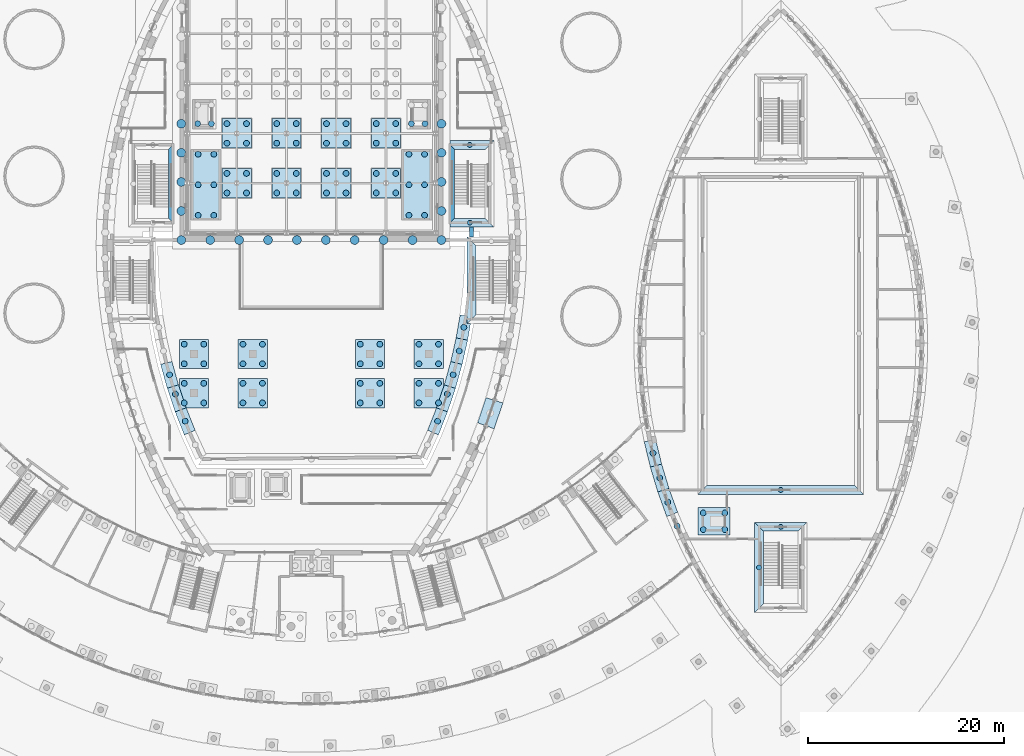
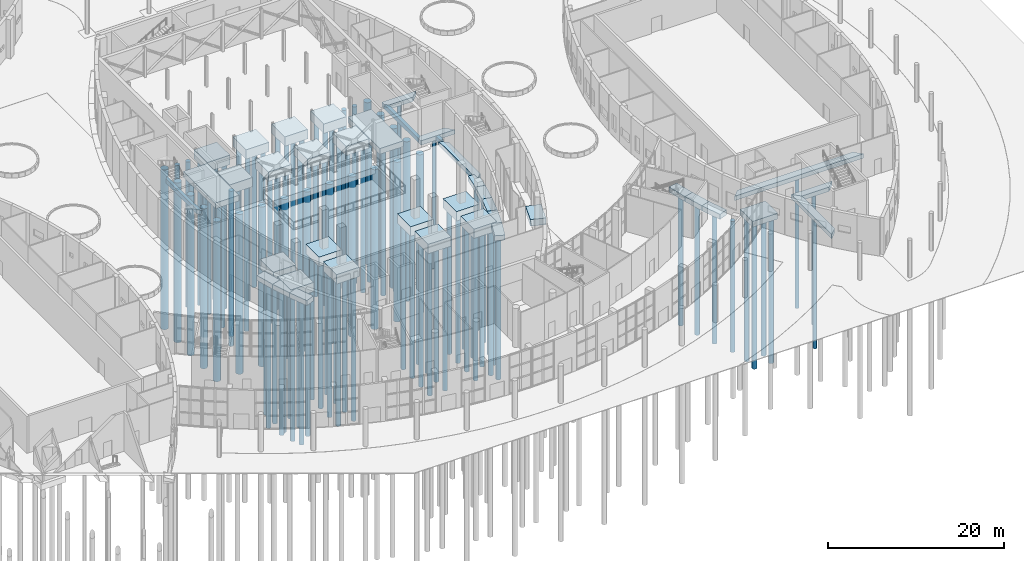
# One storey, part 4 of 82: 119 piles, 40 footings.
"""IFC4 building model written with IfcOpenShell, lengths in metres."""

from ifc_helpers import new_model, si_unit, direction, frame, origin, origin_2d, place, context, subcontext, project, spatial, polyline, rectangle, circle, outline, extrude, material, material_profile, profile_set, type_object, element, save


model = new_model("IFC4")

# Units and contexts
model_context = context("Model", 3, precision=1e-05, world=origin(), true_north=direction((0.0, 1.0)))
body_context = subcontext(model_context, "Body", "Model", "MODEL_VIEW")
ifc_project = project(units=[si_unit("LENGTHUNIT", "METRE"), si_unit("AREAUNIT", "SQUARE_METRE"), si_unit("VOLUMEUNIT", "CUBIC_METRE"), si_unit("PLANEANGLEUNIT", "RADIAN"), si_unit("MASSUNIT", "GRAM", prefix="KILO")], contexts=[model_context])

# Site, building, storey
site_placement = place(None, origin())
site = spatial("IfcSite", under=ifc_project, at=site_placement, CompositionType="ELEMENT")
building_placement = place(site_placement, origin())
building = spatial("IfcBuilding", under=site, at=building_placement, Name="Tide Square Theatres", CompositionType="ELEMENT")
storey_placement = place(building_placement, origin())
storey = spatial("IfcBuildingStorey", under=building, at=storey_placement, Name="L00", CompositionType="ELEMENT", Elevation=0.0)

# Piles
ifc_material_1 = material(Name="Concrete C30", Category="concrete")
ifc_material_profile_1 = material_profile(ifc_material_1, circle(Radius=0.25, at=origin_2d()))
ifc_profile_set_1 = profile_set([ifc_material_profile_1], Name="Concrete C30")
pile_type_1 = type_object("IfcPileType", Name="Bored pile D500", PredefinedType="BORED", material=ifc_profile_set_1)
for number, where, z_axis, x_axis, name in (
    (1, (100.199951171875, 57.324951171875, -0.699951171875), (0.0, 0.0, -1.0), (1.0, 0.0, 0.0), "Bored pile 004"),
    (2, (100.199951171875, 65.27490234375, -0.699951171875), (0.0, 0.0, -1.0), (1.0, 0.0, 0.0), "Bored pile 005"),
    (3, (132.0, 30.0, -0.699951171875), (0.0, 0.0, -1.0), (1.0, 0.0, 0.0), "Bored pile 059"),
    (4, (129.77490234375, 22.074951171875, -0.699951171875), (0.0, 0.0, -1.0), (1.0, 0.0, 0.0), "Bored pile 065"),
    (5, (132.0, 26.22509765625, -0.699951171875), (0.0, 0.0, -1.0), (1.0, 0.0, 0.0), "Bored pile 068"),
):
    element("IfcPile", number, at=place(storey_placement, frame(where, z_axis=z_axis, x_axis=x_axis)), inside=storey, type_object=pile_type_1, Name=name, PredefinedType="BORED", context=body_context, shape_type="SweptSolid", body=[
        extrude(circle(Radius=0.25, at=origin_2d()), origin(), (0.0, 0.0, 1.0), 18.14990234375),
    ])
ifc_material_2 = material(Name="Concrete C30", Category="concrete")
ifc_material_profile_2 = material_profile(ifc_material_2, circle(Radius=0.300048828125, at=origin_2d()))
ifc_profile_set_2 = profile_set([ifc_material_profile_2], Name="Concrete C30")
pile_type_2 = type_object("IfcPileType", Name="Bored pile D600", PredefinedType="BORED", material=ifc_profile_set_2)
for number, where, z_axis, x_axis, name in (
    (6, (75.365478515625, 60.365478515625, -1.14990234375), (0.0, 0.0, -1.0), (1.0, 0.0, 0.0), "Bored pile"),
    (7, (77.365478515625, 60.365478515625, -1.14990234375), (0.0, 0.0, -1.0), (1.0, 0.0, 0.0), "Bored pile"),
    (8, (77.365478515625, 62.365478515625, -1.14990234375), (0.0, 0.0, -1.0), (1.0, 0.0, 0.0), "Bored pile"),
    (9, (75.365478515625, 62.365478515625, -1.14990234375), (0.0, 0.0, -1.0), (1.0, 0.0, 0.0), "Bored pile"),
    (10, (75.365478515625, 65.455078125, -1.14990234375), (0.0, 0.0, -1.0), (1.0, 0.0, 0.0), "Bored pile"),
    (11, (77.365478515625, 65.455078125, -1.14990234375), (0.0, 0.0, -1.0), (1.0, 0.0, 0.0), "Bored pile"),
    (12, (77.365478515625, 67.455078125, -1.14990234375), (0.0, 0.0, -1.0), (1.0, 0.0, 0.0), "Bored pile"),
    (13, (75.365478515625, 67.455078125, -1.14990234375), (0.0, 0.0, -1.0), (1.0, 0.0, 0.0), "Bored pile"),
    (14, (80.455078125, 60.365478515625, -1.14990234375), (0.0, 0.0, -1.0), (1.0, 0.0, 0.0), "Bored pile"),
    (15, (82.455078125, 60.365478515625, -1.14990234375), (0.0, 0.0, -1.0), (1.0, 0.0, 0.0), "Bored pile"),
    (16, (82.455078125, 62.365478515625, -1.14990234375), (0.0, 0.0, -1.0), (1.0, 0.0, 0.0), "Bored pile"),
    (17, (80.455078125, 62.365478515625, -1.14990234375), (0.0, 0.0, -1.0), (1.0, 0.0, 0.0), "Bored pile"),
    (18, (80.455078125, 65.455078125, -1.14990234375), (0.0, 0.0, -1.0), (1.0, 0.0, 0.0), "Bored pile"),
    (19, (82.455078125, 65.455078125, -1.14990234375), (0.0, 0.0, -1.0), (1.0, 0.0, 0.0), "Bored pile"),
    (20, (82.455078125, 67.455078125, -1.14990234375), (0.0, 0.0, -1.0), (1.0, 0.0, 0.0), "Bored pile"),
    (21, (80.455078125, 67.455078125, -1.14990234375), (0.0, 0.0, -1.0), (1.0, 0.0, 0.0), "Bored pile"),
    (22, (85.544921875, 60.365478515625, -1.14990234375), (0.0, 0.0, -1.0), (1.0, 0.0, 0.0), "Bored pile"),
    (23, (87.544921875, 60.365478515625, -1.14990234375), (0.0, 0.0, -1.0), (1.0, 0.0, 0.0), "Bored pile"),
    (24, (87.544921875, 62.365478515625, -1.14990234375), (0.0, 0.0, -1.0), (1.0, 0.0, 0.0), "Bored pile"),
    (25, (85.544921875, 62.365478515625, -1.14990234375), (0.0, 0.0, -1.0), (1.0, 0.0, 0.0), "Bored pile"),
    (26, (85.544921875, 65.455078125, -1.14990234375), (0.0, 0.0, -1.0), (1.0, 0.0, 0.0), "Bored pile"),
    (27, (87.544921875, 65.455078125, -1.14990234375), (0.0, 0.0, -1.0), (1.0, 0.0, 0.0), "Bored pile"),
    (28, (87.544921875, 67.455078125, -1.14990234375), (0.0, 0.0, -1.0), (1.0, 0.0, 0.0), "Bored pile"),
    (29, (85.544921875, 67.455078125, -1.14990234375), (0.0, 0.0, -1.0), (1.0, 0.0, 0.0), "Bored pile"),
    (30, (90.634521484375, 60.365478515625, -1.14990234375), (0.0, 0.0, -1.0), (1.0, 0.0, 0.0), "Bored pile"),
    (31, (92.634521484375, 60.365478515625, -1.14990234375), (0.0, 0.0, -1.0), (1.0, 0.0, 0.0), "Bored pile"),
    (32, (92.634521484375, 62.365478515625, -1.14990234375), (0.0, 0.0, -1.0), (1.0, 0.0, 0.0), "Bored pile"),
    (33, (90.634521484375, 62.365478515625, -1.14990234375), (0.0, 0.0, -1.0), (1.0, 0.0, 0.0), "Bored pile"),
    (34, (90.634521484375, 65.455078125, -1.14990234375), (0.0, 0.0, -1.0), (1.0, 0.0, 0.0), "Bored pile"),
    (35, (92.634521484375, 65.455078125, -1.14990234375), (0.0, 0.0, -1.0), (1.0, 0.0, 0.0), "Bored pile"),
    (36, (92.634521484375, 67.455078125, -1.14990234375), (0.0, 0.0, -1.0), (1.0, 0.0, 0.0), "Bored pile"),
    (37, (90.634521484375, 67.455078125, -1.14990234375), (0.0, 0.0, -1.0), (1.0, 0.0, 0.0), "Bored pile"),
    (38, (69.50146484375, 41.77587890625, -0.550048828125), (0.0, 0.0, -1.0), (1.0, 0.0, 0.0), "Bored pile"),
    (39, (70.096435546875, 39.806640625, -0.550048828125), (0.0, 0.0, -1.0), (1.0, 0.0, 0.0), "Bored pile"),
    (40, (71.0986328125, 37.0283203125, -0.550048828125), (0.0, 0.0, -1.0), (1.0, 0.0, 0.0), "Bored pile"),
    (41, (96.9013671875, 37.0283203125, -0.550048828125), (0.0, 0.0, -1.0), (1.0, 0.0, 0.0), "Bored pile"),
    (42, (97.903564453125, 39.806640625, -0.550048828125), (0.0, 0.0, -1.0), (1.0, 0.0, 0.0), "Bored pile"),
    (43, (98.49853515625, 41.77587890625, -0.550048828125), (0.0, 0.0, -1.0), (1.0, 0.0, 0.0), "Bored pile"),
    (44, (99.113525390625, 44.20751953125, -0.550048828125), (0.0, 0.0, -1.0), (1.0, 0.0, 0.0), "Bored pile"),
    (45, (99.595947265625, 46.616943359375, -0.550048828125), (0.0, 0.0, -1.0), (1.0, 0.0, 0.0), "Bored pile"),
    (46, (71.0, 42.89990234375, -1.14990234375), (0.0, 0.0, -1.0), (1.0, 0.0, 0.0), "Bored pile"),
    (47, (73.0, 42.89990234375, -1.14990234375), (0.0, 0.0, -1.0), (1.0, 0.0, 0.0), "Bored pile"),
    (48, (73.0, 44.89990234375, -1.14990234375), (0.0, 0.0, -1.0), (1.0, 0.0, 0.0), "Bored pile"),
    (49, (71.0, 44.89990234375, -1.14990234375), (0.0, 0.0, -1.0), (1.0, 0.0, 0.0), "Bored pile"),
    (50, (77.0, 42.89990234375, -1.14990234375), (0.0, 0.0, -1.0), (1.0, 0.0, 0.0), "Bored pile"),
    (51, (79.0, 42.89990234375, -1.14990234375), (0.0, 0.0, -1.0), (1.0, 0.0, 0.0), "Bored pile"),
    (52, (79.0, 44.89990234375, -1.14990234375), (0.0, 0.0, -1.0), (1.0, 0.0, 0.0), "Bored pile"),
    (53, (77.0, 44.89990234375, -1.14990234375), (0.0, 0.0, -1.0), (1.0, 0.0, 0.0), "Bored pile"),
    (54, (89.0, 42.89990234375, -1.14990234375), (0.0, 0.0, -1.0), (1.0, 0.0, 0.0), "Bored pile"),
    (55, (91.0, 42.89990234375, -1.14990234375), (0.0, 0.0, -1.0), (1.0, 0.0, 0.0), "Bored pile"),
    (56, (91.0, 44.89990234375, -1.14990234375), (0.0, 0.0, -1.0), (1.0, 0.0, 0.0), "Bored pile"),
    (57, (89.0, 44.89990234375, -1.14990234375), (0.0, 0.0, -1.0), (1.0, 0.0, 0.0), "Bored pile"),
    (58, (95.0, 42.89990234375, -1.14990234375), (0.0, 0.0, -1.0), (1.0, 0.0, 0.0), "Bored pile"),
    (59, (97.0, 42.89990234375, -1.14990234375), (0.0, 0.0, -1.0), (1.0, 0.0, 0.0), "Bored pile"),
    (60, (97.0, 44.89990234375, -1.14990234375), (0.0, 0.0, -1.0), (1.0, 0.0, 0.0), "Bored pile"),
    (61, (95.0, 44.89990234375, -1.14990234375), (0.0, 0.0, -1.0), (1.0, 0.0, 0.0), "Bored pile"),
    (62, (71.0, 38.89990234375, -1.14990234375), (0.0, 0.0, -1.0), (1.0, 0.0, 0.0), "Bored pile"),
    (63, (73.0, 38.89990234375, -1.14990234375), (0.0, 0.0, -1.0), (1.0, 0.0, 0.0), "Bored pile"),
    (64, (73.0, 40.89990234375, -1.14990234375), (0.0, 0.0, -1.0), (1.0, 0.0, 0.0), "Bored pile"),
    (65, (71.0, 40.89990234375, -1.14990234375), (0.0, 0.0, -1.0), (1.0, 0.0, 0.0), "Bored pile"),
    (66, (77.0, 38.89990234375, -1.14990234375), (0.0, 0.0, -1.0), (1.0, 0.0, 0.0), "Bored pile"),
    (67, (79.0, 38.89990234375, -1.14990234375), (0.0, 0.0, -1.0), (1.0, 0.0, 0.0), "Bored pile"),
    (68, (79.0, 40.89990234375, -1.14990234375), (0.0, 0.0, -1.0), (1.0, 0.0, 0.0), "Bored pile"),
    (69, (77.0, 40.89990234375, -1.14990234375), (0.0, 0.0, -1.0), (1.0, 0.0, 0.0), "Bored pile"),
    (70, (89.0, 38.89990234375, -1.14990234375), (0.0, 0.0, -1.0), (1.0, 0.0, 0.0), "Bored pile"),
    (71, (91.0, 38.89990234375, -1.14990234375), (0.0, 0.0, -1.0), (1.0, 0.0, 0.0), "Bored pile"),
    (72, (91.0, 40.89990234375, -1.14990234375), (0.0, 0.0, -1.0), (1.0, 0.0, 0.0), "Bored pile"),
    (73, (89.0, 40.89990234375, -1.14990234375), (0.0, 0.0, -1.0), (1.0, 0.0, 0.0), "Bored pile"),
    (74, (95.0, 38.89990234375, -1.14990234375), (0.0, 0.0, -1.0), (1.0, 0.0, 0.0), "Bored pile"),
    (75, (97.0, 38.89990234375, -1.14990234375), (0.0, 0.0, -1.0), (1.0, 0.0, 0.0), "Bored pile"),
    (76, (97.0, 40.89990234375, -1.14990234375), (0.0, 0.0, -1.0), (1.0, 0.0, 0.0), "Bored pile"),
    (77, (95.0, 40.89990234375, -1.14990234375), (0.0, 0.0, -1.0), (1.0, 0.0, 0.0), "Bored pile"),
    (78, (72.426025390625, 58.075927734375, -0.64990234375), (0.0, 0.0, -1.0), (1.0, 0.0, 0.0), "Fly Tower stair 11 pile 1"),
    (79, (74.02587890625, 58.075927734375, -0.64990234375), (0.0, 0.0, -1.0), (1.0, 0.0, 0.0), "Fly Tower stair 11 pile 2"),
    (80, (72.426025390625, 61.200927734375, -0.64990234375), (0.0, 0.0, -1.0), (1.0, 0.0, 0.0), "Fly Tower stair 11 pile 3"),
    (81, (74.02587890625, 61.200927734375, -0.64990234375), (0.0, 0.0, -1.0), (1.0, 0.0, 0.0), "Fly Tower stair 11 pile 4"),
    (82, (72.426025390625, 64.325927734375, -0.64990234375), (0.0, 0.0, -1.0), (1.0, 0.0, 0.0), "Fly Tower stair 11 pile 5"),
    (83, (74.02587890625, 64.325927734375, -0.64990234375), (0.0, 0.0, -1.0), (1.0, 0.0, 0.0), "Fly Tower stair 11 pile 6"),
    (84, (93.97412109375, 58.075927734375, -0.64990234375), (0.0, 0.0, -1.0), (1.0, 0.0, 0.0), "Fly Tower stair 12 pile 1"),
    (85, (95.573974609375, 58.075927734375, -0.64990234375), (0.0, 0.0, -1.0), (1.0, 0.0, 0.0), "Fly Tower stair 12 pile 2"),
    (86, (93.97412109375, 61.200927734375, -0.64990234375), (0.0, 0.0, -1.0), (1.0, 0.0, 0.0), "Fly Tower stair 12 pile 3"),
    (87, (95.573974609375, 61.200927734375, -0.64990234375), (0.0, 0.0, -1.0), (1.0, 0.0, 0.0), "Fly Tower stair 12 pile 4"),
    (88, (93.97412109375, 64.325927734375, -0.64990234375), (0.0, 0.0, -1.0), (1.0, 0.0, 0.0), "Fly Tower stair 12 pile 5"),
    (89, (95.573974609375, 64.325927734375, -0.64990234375), (0.0, 0.0, -1.0), (1.0, 0.0, 0.0), "Fly Tower stair 12 pile 6"),
    (90, (72.3759765625, 67.449951171875, -0.85009765625), (0.0, 0.0, -1.0), (1.0, 0.0, 0.0), "Fly Tower lift pit pile 11.1"),
    (91, (73.77587890625, 67.449951171875, -0.85009765625), (0.0, 0.0, -1.0), (1.0, 0.0, 0.0), "Fly Tower lift pit pile 11.2"),
    (92, (94.22412109375, 67.449951171875, -0.85009765625), (0.0, 0.0, -1.0), (1.0, 0.0, 0.0), "Fly Tower lift pit pile 12.1"),
    (93, (95.6240234375, 67.449951171875, -0.85009765625), (0.0, 0.0, -1.0), (1.0, 0.0, 0.0), "Fly Tower lift pit pile 12.2"),
):
    element("IfcPile", number, at=place(storey_placement, frame(where, z_axis=z_axis, x_axis=x_axis)), inside=storey, type_object=pile_type_2, Name=name, PredefinedType="BORED", context=body_context, shape_type="SweptSolid", body=[
        extrude(circle(Radius=0.300048828125, at=origin_2d()), origin(), (0.0, 0.0, 1.0), 20.14990234375),
    ])
for number, where, z_axis, x_axis, name in (
    (94, (118.9306640625, 33.764892578125, -0.800048828125), (0.0, 0.0, -1.0), (1.0, 0.0, 0.0), "Bored pile 047"),
    (95, (119.6181640625, 31.229736328125, -0.800048828125), (0.0, 0.0, -1.0), (1.0, 0.0, 0.0), "Bored pile 048"),
    (96, (120.444091796875, 28.736572265625, -0.800048828125), (0.0, 0.0, -1.0), (1.0, 0.0, 0.0), "Bored pile 049"),
    (97, (121.405517578125, 26.29248046875, -0.800048828125), (0.0, 0.0, -1.0), (1.0, 0.0, 0.0), "Bored pile 050"),
):
    element("IfcPile", number, at=place(storey_placement, frame(where, z_axis=z_axis, x_axis=x_axis)), inside=storey, type_object=pile_type_2, Name=name, PredefinedType="BORED", context=body_context, shape_type="SweptSolid", body=[
        extrude(circle(Radius=0.300048828125, at=origin_2d()), origin(), (0.0, 0.0, 1.0), 18.14990234375),
    ])
for number, where, z_axis, x_axis, name in (
    (98, (126.27001953125, 25.949951171875, -1.85009765625), (0.0, 0.0, -1.0), (1.0, 0.0, 0.0), "Black Box Theatre lift pit pile"),
    (99, (124.070068359375, 25.949951171875, -1.85009765625), (0.0, 0.0, -1.0), (1.0, 0.0, 0.0), "Black Box Theatre lift pit pile"),
    (100, (126.27001953125, 27.64990234375, -1.85009765625), (0.0, 0.0, -1.0), (1.0, 0.0, 0.0), "Black Box Theatre lift pit pile"),
    (101, (124.070068359375, 27.64990234375, -1.85009765625), (0.0, 0.0, -1.0), (1.0, 0.0, 0.0), "Black Box Theatre lift pit pile"),
):
    element("IfcPile", number, at=place(storey_placement, frame(where, z_axis=z_axis, x_axis=x_axis)), inside=storey, type_object=pile_type_2, Name=name, PredefinedType="BORED", context=body_context, shape_type="SweptSolid", body=[
        extrude(circle(Radius=0.300048828125, at=origin_2d()), origin(), (0.0, 0.0, 1.0), 20.14990234375),
    ])
ifc_material_3 = material(Name="Concrete C30", Category="concrete")
ifc_material_profile_3 = material_profile(ifc_material_3, circle(Radius=0.449951171875, at=origin_2d()))
ifc_profile_set_3 = profile_set([ifc_material_profile_3], Name="Concrete C30")
pile_type_3 = type_object("IfcPileType", Name="Bored pile D900", PredefinedType="BORED", material=ifc_profile_set_3)
for number, where, z_axis, x_axis, name in (
    (102, (70.699951171875, 55.550048828125, -0.75), (0.0, 0.0, -1.0), (1.0, 0.0, 0.0), "Bored pile"),
    (103, (73.655517578125, 55.550048828125, -0.75), (0.0, 0.0, -1.0), (1.0, 0.0, 0.0), "Bored pile"),
    (104, (76.611083984375, 55.550048828125, -0.75), (0.0, 0.0, -1.0), (1.0, 0.0, 0.0), "Bored pile"),
    (105, (79.566650390625, 55.550048828125, -0.75), (0.0, 0.0, -1.0), (1.0, 0.0, 0.0), "Bored pile"),
    (106, (82.522216796875, 55.550048828125, -0.75), (0.0, 0.0, -1.0), (1.0, 0.0, 0.0), "Bored pile"),
    (107, (85.477783203125, 55.550048828125, -0.75), (0.0, 0.0, -1.0), (1.0, 0.0, 0.0), "Bored pile"),
    (108, (88.433349609375, 55.550048828125, -0.75), (0.0, 0.0, -1.0), (1.0, 0.0, 0.0), "Bored pile"),
    (109, (91.388916015625, 55.550048828125, -0.75), (0.0, 0.0, -1.0), (1.0, 0.0, 0.0), "Bored pile"),
    (110, (94.344482421875, 55.550048828125, -0.75), (0.0, 0.0, -1.0), (1.0, 0.0, 0.0), "Bored pile"),
    (111, (97.300048828125, 55.550048828125, -0.75), (0.0, 0.0, -1.0), (1.0, 0.0, 0.0), "Bored pile"),
    (112, (70.699951171875, 58.522216796875, -0.75), (0.0, 0.0, -1.0), (1.0, 0.0, 0.0), "Bored pile"),
    (113, (97.300048828125, 58.522216796875, -0.75), (0.0, 0.0, -1.0), (1.0, 0.0, 0.0), "Bored pile"),
    (114, (70.699951171875, 61.494384765625, -0.75), (0.0, 0.0, -1.0), (1.0, 0.0, 0.0), "Bored pile"),
    (115, (97.300048828125, 61.494384765625, -0.75), (0.0, 0.0, -1.0), (1.0, 0.0, 0.0), "Bored pile"),
    (116, (70.699951171875, 64.466796875, -0.75), (0.0, 0.0, -1.0), (1.0, 0.0, 0.0), "Bored pile"),
    (117, (97.300048828125, 64.466796875, -0.75), (0.0, 0.0, -1.0), (1.0, 0.0, 0.0), "Bored pile"),
    (118, (70.699951171875, 67.43896484375, -0.75), (0.0, 0.0, -1.0), (1.0, 0.0, 0.0), "Bored pile"),
    (119, (97.300048828125, 67.43896484375, -0.75), (0.0, 0.0, -1.0), (1.0, 0.0, 0.0), "Bored pile"),
):
    element("IfcPile", number, at=place(storey_placement, frame(where, z_axis=z_axis, x_axis=x_axis)), inside=storey, type_object=pile_type_3, Name=name, PredefinedType="BORED", context=body_context, shape_type="SweptSolid", body=[
        extrude(circle(Radius=0.449951171875, at=origin_2d()), origin(), (0.0, 0.0, 1.0), 22.14990234375),
    ])

# Footings
ifc_material_4 = material(Name="Concrete C35", Category="concrete")
footing_type_1 = type_object("IfcFootingType", Name="Ground beam 400 x 600", PredefinedType="FOOTING_BEAM", material=ifc_material_4)
footing_1_placement = place(storey_placement, frame((0.0, 0.0, -0.85009765625)))
element("IfcFooting", 120, at=footing_1_placement, inside=storey, type_object=footing_type_1, Name="Main Theatre East Circle Stair ground beam 014", PredefinedType="FOOTING_BEAM", context=body_context, shape_type="SweptSolid", body=[
    extrude(outline(polyline([(100.175048828125, 55.8701171875), (100.574951171875, 55.8701171875), (100.574951171875, 56.8759765625), (100.175048828125, 56.8759765625), (100.175048828125, 55.8701171875)])), origin(), (0.0, 0.0, 1.0), 0.60009765625),
])
ifc_material_5 = material(Name="Concrete C35", Category="concrete")
footing_type_2 = type_object("IfcFootingType", Name="Pile cap 4 piles D600", PredefinedType="PILE_CAP", material=ifc_material_5)
for number, where, z_axis, x_axis, name in (
    (121, (76.365478515625, 61.365478515625, -1.2998046875), (0.0, 0.0, 1.0), (1.0, 0.0, 0.0), "Fly tower column cap"),
    (122, (76.365478515625, 66.455078125, -1.2998046875), (0.0, 0.0, 1.0), (1.0, 0.0, 0.0), "Fly tower column cap"),
    (123, (81.455078125, 61.365478515625, -1.2998046875), (0.0, 0.0, 1.0), (1.0, 0.0, 0.0), "Fly tower column cap"),
    (124, (81.455078125, 66.455078125, -1.2998046875), (0.0, 0.0, 1.0), (1.0, 0.0, 0.0), "Fly tower column cap"),
    (125, (86.544921875, 61.365478515625, -1.2998046875), (0.0, 0.0, 1.0), (1.0, 0.0, 0.0), "Fly tower column cap"),
    (126, (86.544921875, 66.455078125, -1.2998046875), (0.0, 0.0, 1.0), (1.0, 0.0, 0.0), "Fly tower column cap"),
    (127, (91.634521484375, 61.365478515625, -1.2998046875), (0.0, 0.0, 1.0), (1.0, 0.0, 0.0), "Fly tower column cap"),
    (128, (91.634521484375, 66.455078125, -1.2998046875), (0.0, 0.0, 1.0), (1.0, 0.0, 0.0), "Fly tower column cap"),
    (129, (72.0, 43.89990234375, -1.2998046875), (0.0, 0.0, 1.0), (1.0, 0.0, 0.0), "Circle column cap"),
    (130, (78.0, 43.89990234375, -1.2998046875), (0.0, 0.0, 1.0), (1.0, 0.0, 0.0), "Circle column cap"),
    (131, (90.0, 43.89990234375, -1.2998046875), (0.0, 0.0, 1.0), (1.0, 0.0, 0.0), "Circle column cap"),
    (132, (96.0, 43.89990234375, -1.2998046875), (0.0, 0.0, 1.0), (1.0, 0.0, 0.0), "Circle column cap"),
    (133, (72.0, 39.89990234375, -1.2998046875), (0.0, 0.0, 1.0), (1.0, 0.0, 0.0), "Circle column cap"),
    (134, (78.0, 39.89990234375, -1.2998046875), (0.0, 0.0, 1.0), (1.0, 0.0, 0.0), "Circle column cap"),
    (135, (90.0, 39.89990234375, -1.2998046875), (0.0, 0.0, 1.0), (1.0, 0.0, 0.0), "Circle column cap"),
    (136, (96.0, 39.89990234375, -1.2998046875), (0.0, 0.0, 1.0), (1.0, 0.0, 0.0), "Circle column cap"),
):
    element("IfcFooting", number, at=place(storey_placement, frame(where, z_axis=z_axis, x_axis=x_axis)), inside=storey, type_object=footing_type_2, Name=name, PredefinedType="PILE_CAP", context=body_context, shape_type="SweptSolid", body=[
        extrude(rectangle(XDim=3.0, YDim=3.0, at=origin_2d()), origin(), (0.0, 0.0, 1.0), 1.300048828125),
    ])
footing_2_placement = place(storey_placement, frame((0.0, 0.0, -0.800048828125)))
element("IfcFooting", 137, at=footing_2_placement, inside=storey, type_object=footing_type_2, Name="Fly Tower stair 11 base slab", PredefinedType="PILE_CAP", context=body_context, shape_type="SweptSolid", body=[
    extrude(outline(polyline([(71.676025390625, 57.575927734375), (74.77587890625, 57.575927734375), (74.77587890625, 64.825927734375), (71.676025390625, 64.825927734375), (71.676025390625, 57.575927734375)])), origin(), (0.0, 0.0, 1.0), 0.800048828125),
])
footing_3_placement = place(storey_placement, frame((0.0, 0.0, -0.800048828125)))
element("IfcFooting", 138, at=footing_3_placement, inside=storey, type_object=footing_type_2, Name="Fly Tower stair 12 base slab", PredefinedType="PILE_CAP", context=body_context, shape_type="SweptSolid", body=[
    extrude(outline(polyline([(93.22412109375, 57.575927734375), (96.323974609375, 57.575927734375), (96.323974609375, 64.825927734375), (93.22412109375, 64.825927734375), (93.22412109375, 57.575927734375)])), origin(), (0.0, 0.0, 1.0), 0.800048828125),
])
footing_4_placement = place(storey_placement, frame((0.0, 0.0, -2.0)))
element("IfcFooting", 139, at=footing_4_placement, inside=storey, type_object=footing_type_2, Name="Black Box Theatre lift pit raft", PredefinedType="PILE_CAP", context=body_context, shape_type="SweptSolid", body=[
    extrude(outline(polyline([(126.820068359375, 25.39990234375), (126.820068359375, 28.199951171875), (123.52001953125, 28.199951171875), (123.52001953125, 25.39990234375), (126.820068359375, 25.39990234375)])), origin(), (0.0, 0.0, 1.0), 0.800048828125),
])
ifc_material_6 = material(Name="Concrete C35", Category="concrete")
footing_type_3 = type_object("IfcFootingType", Name="Strip footing 1200 x 700", PredefinedType="STRIP_FOOTING", material=ifc_material_6)
footing_5_placement = place(storey_placement, frame((0.0, 0.0, -0.699951171875)))
element("IfcFooting", 140, at=footing_5_placement, inside=storey, type_object=footing_type_3, Name="Strip footing", PredefinedType="STRIP_FOOTING", context=body_context, shape_type="SweptSolid", body=[
    extrude(outline(polyline([(68.5810546875, 42.836181640625), (69.266357421875, 40.391845703125), (70.41357421875, 40.745361328125), (69.744873046875, 43.130615234375), (68.5810546875, 42.836181640625)])), origin(), (0.0, 0.0, 1.0), 0.699951171875),
])
footing_6_placement = place(storey_placement, frame((0.0, 0.0, -0.699951171875)))
element("IfcFooting", 141, at=footing_6_placement, inside=storey, type_object=footing_type_3, Name="Strip footing", PredefinedType="STRIP_FOOTING", context=body_context, shape_type="SweptSolid", body=[
    extrude(outline(polyline([(69.266357421875, 40.391845703125), (70.075927734375, 37.98583984375), (71.20361328125, 38.397705078125), (70.41357421875, 40.745361328125), (69.266357421875, 40.391845703125)])), origin(), (0.0, 0.0, 1.0), 0.699951171875),
])
footing_7_placement = place(storey_placement, frame((0.0, 0.0, -0.699951171875)))
element("IfcFooting", 142, at=footing_7_placement, inside=storey, type_object=footing_type_3, Name="Strip footing", PredefinedType="STRIP_FOOTING", context=body_context, shape_type="SweptSolid", body=[
    extrude(outline(polyline([(70.075927734375, 37.98583984375), (71.005615234375, 35.629638671875), (72.10986328125, 36.099853515625), (71.20361328125, 38.397705078125), (70.075927734375, 37.98583984375)])), origin(), (0.0, 0.0, 1.0), 0.699951171875),
])
footing_8_placement = place(storey_placement, frame((0.0, 0.0, -0.699951171875)))
element("IfcFooting", 143, at=footing_8_placement, inside=storey, type_object=footing_type_3, Name="Strip footing", PredefinedType="STRIP_FOOTING", context=body_context, shape_type="SweptSolid", body=[
    extrude(outline(polyline([(96.994384765625, 35.629638671875), (97.924072265625, 37.98583984375), (96.79638671875, 38.397705078125), (95.89013671875, 36.099853515625), (96.994384765625, 35.629638671875)])), origin(), (0.0, 0.0, 1.0), 0.699951171875),
])
footing_9_placement = place(storey_placement, frame((0.0, 0.0, -0.699951171875)))
element("IfcFooting", 144, at=footing_9_placement, inside=storey, type_object=footing_type_3, Name="Strip footing", PredefinedType="STRIP_FOOTING", context=body_context, shape_type="SweptSolid", body=[
    extrude(outline(polyline([(97.924072265625, 37.98583984375), (98.733642578125, 40.391845703125), (97.58642578125, 40.745361328125), (96.79638671875, 38.397705078125), (97.924072265625, 37.98583984375)])), origin(), (0.0, 0.0, 1.0), 0.699951171875),
])
footing_10_placement = place(storey_placement, frame((0.0, 0.0, -0.699951171875)))
element("IfcFooting", 145, at=footing_10_placement, inside=storey, type_object=footing_type_3, Name="Strip footing", PredefinedType="STRIP_FOOTING", context=body_context, shape_type="SweptSolid", body=[
    extrude(outline(polyline([(98.733642578125, 40.391845703125), (99.4189453125, 42.836181640625), (98.255126953125, 43.130615234375), (97.58642578125, 40.745361328125), (98.733642578125, 40.391845703125)])), origin(), (0.0, 0.0, 1.0), 0.699951171875),
])
footing_11_placement = place(storey_placement, frame((0.0, 0.0, -0.699951171875)))
element("IfcFooting", 146, at=footing_11_placement, inside=storey, type_object=footing_type_3, Name="Strip footing", PredefinedType="STRIP_FOOTING", context=body_context, shape_type="SweptSolid", body=[
    extrude(outline(polyline([(99.4189453125, 42.836181640625), (99.978759765625, 45.314453125), (98.801513671875, 45.549560546875), (98.255126953125, 43.130615234375), (99.4189453125, 42.836181640625)])), origin(), (0.0, 0.0, 1.0), 0.699951171875),
])
footing_12_placement = place(storey_placement, frame((0.0, 0.0, -0.699951171875)))
element("IfcFooting", 147, at=footing_12_placement, inside=storey, type_object=footing_type_3, Name="Strip footing", PredefinedType="STRIP_FOOTING", context=body_context, shape_type="SweptSolid", body=[
    extrude(outline(polyline([(99.978759765625, 45.314453125), (98.801513671875, 45.549560546875), (99.208251953125, 47.889892578125), (99.925048828125, 47.783447265625), (99.925048828125, 47.02490234375), (100.27587890625, 47.02490234375), (99.978759765625, 45.314453125)])), origin(), (0.0, 0.0, 1.0), 0.699951171875),
])
footing_13_placement = place(storey_placement, frame((0.0, 0.0, -0.949951171875)))
element("IfcFooting", 148, at=footing_13_placement, inside=storey, type_object=footing_type_3, Name="Black Box Theatre wall strip footing 047", PredefinedType="STRIP_FOOTING", context=body_context, shape_type="SweptSolid", body=[
    extrude(outline(polyline([(118.034912109375, 34.91650390625), (118.660400390625, 32.330810546875), (119.81884765625, 32.64501953125), (119.208740234375, 35.167236328125), (118.034912109375, 34.91650390625)])), origin(), (0.0, 0.0, 1.0), 0.699951171875),
])
footing_14_placement = place(storey_placement, frame((0.0, 0.0, -0.949951171875)))
element("IfcFooting", 149, at=footing_14_placement, inside=storey, type_object=footing_type_3, Name="Black Box Theatre wall strip footing 048", PredefinedType="STRIP_FOOTING", context=body_context, shape_type="SweptSolid", body=[
    extrude(outline(polyline([(118.660400390625, 32.330810546875), (119.427001953125, 29.783203125), (120.566650390625, 30.160400390625), (119.81884765625, 32.64501953125), (118.660400390625, 32.330810546875)])), origin(), (0.0, 0.0, 1.0), 0.699951171875),
])
footing_15_placement = place(storey_placement, frame((0.0, 0.0, -0.949951171875)))
element("IfcFooting", 150, at=footing_15_placement, inside=storey, type_object=footing_type_3, Name="Black Box Theatre wall strip footing 049", PredefinedType="STRIP_FOOTING", context=body_context, shape_type="SweptSolid", body=[
    extrude(outline(polyline([(119.427001953125, 29.783203125), (120.33251953125, 27.281494140625), (121.44970703125, 27.720947265625), (120.566650390625, 30.160400390625), (119.427001953125, 29.783203125)])), origin(), (0.0, 0.0, 1.0), 0.699951171875),
])
ifc_material_7 = material(Name="Concrete C35", Category="concrete")
footing_type_4 = type_object("IfcFootingType", Name="Strip footing 1800 x 900", PredefinedType="STRIP_FOOTING", material=ifc_material_7)
footing_16_placement = place(storey_placement, frame((0.0, 0.0, -0.89990234375)))
element("IfcFooting", 151, at=footing_16_placement, inside=storey, type_object=footing_type_4, Name="Strip footing", PredefinedType="STRIP_FOOTING", context=body_context, shape_type="SweptSolid", body=[
    extrude(outline(polyline([(102.692626953125, 36.244384765625), (103.5849609375, 38.896484375), (101.8642578125, 39.427001953125), (101.001220703125, 36.862060546875), (102.692626953125, 36.244384765625)])), origin(), (0.0, 0.0, 1.0), 0.89990234375),
])
ifc_material_8 = material(Name="Concrete C35", Category="concrete")
footing_type_5 = type_object("IfcFootingType", Name="Strip footing 900 x 600", PredefinedType="STRIP_FOOTING", material=ifc_material_8)
footing_17_placement = place(storey_placement, frame((0.0, 0.0, -0.85009765625)))
element("IfcFooting", 152, at=footing_17_placement, inside=storey, type_object=footing_type_5, Name="Main Theatre West Stair wall footing 004", PredefinedType="STRIP_FOOTING", context=body_context, shape_type="SweptSolid", body=[
    extrude(outline(polyline([(69.375, 57.77490234375), (69.375, 64.824951171875), (69.800048828125, 65.25), (69.800048828125, 57.35009765625), (69.375, 57.77490234375)])), origin(), (0.0, 0.0, 1.0), 0.60009765625),
])
footing_18_placement = place(storey_placement, frame((0.0, 0.0, -0.85009765625)))
element("IfcFooting", 153, at=footing_18_placement, inside=storey, type_object=footing_type_5, Name="Main Theatre East Stair wall footing 005", PredefinedType="STRIP_FOOTING", context=body_context, shape_type="SweptSolid", body=[
    extrude(outline(polyline([(102.675048828125, 65.72509765625), (101.77490234375, 64.824951171875), (98.625, 64.824951171875), (98.199951171875, 65.25), (98.199951171875, 65.72509765625), (102.675048828125, 65.72509765625)])), origin(), (0.0, 0.0, 1.0), 0.60009765625),
])
footing_19_placement = place(storey_placement, frame((0.0, 0.0, -0.85009765625)))
element("IfcFooting", 154, at=footing_19_placement, inside=storey, type_object=footing_type_5, Name="Main Theatre East Stair wall footing 006", PredefinedType="STRIP_FOOTING", context=body_context, shape_type="SweptSolid", body=[
    extrude(outline(polyline([(98.625, 64.824951171875), (98.625, 57.77490234375), (98.199951171875, 57.35009765625), (98.199951171875, 65.25), (98.625, 64.824951171875)])), origin(), (0.0, 0.0, 1.0), 0.60009765625),
])
footing_20_placement = place(storey_placement, frame((0.0, 0.0, -0.85009765625)))
element("IfcFooting", 155, at=footing_20_placement, inside=storey, type_object=footing_type_5, Name="Main Theatre East Stair wall footing 007", PredefinedType="STRIP_FOOTING", context=body_context, shape_type="SweptSolid", body=[
    extrude(outline(polyline([(98.625, 57.77490234375), (101.77490234375, 57.77490234375), (102.675048828125, 56.875), (98.199951171875, 56.875), (98.199951171875, 57.35009765625), (98.625, 57.77490234375)])), origin(), (0.0, 0.0, 1.0), 0.60009765625),
])
footing_21_placement = place(storey_placement, frame((0.0, 0.0, -0.85009765625)))
element("IfcFooting", 156, at=footing_21_placement, inside=storey, type_object=footing_type_5, Name="Main Theatre East Circle Stair wall footing 014", PredefinedType="STRIP_FOOTING", context=body_context, shape_type="SweptSolid", body=[
    extrude(outline(polyline([(99.925048828125, 55.875), (99.925048828125, 47.02490234375), (100.824951171875, 47.925048828125), (100.824951171875, 54.97509765625), (99.925048828125, 55.875)])), origin(), (0.0, 0.0, 1.0), 0.60009765625),
])
footing_22_placement = place(storey_placement, frame((0.0, 0.0, -0.85009765625)))
element("IfcFooting", 157, at=footing_22_placement, inside=storey, type_object=footing_type_5, Name="Black Box Theatre auditorium strip footing 059", PredefinedType="STRIP_FOOTING", context=body_context, shape_type="SweptSolid", body=[
    extrude(outline(polyline([(123.550048828125, 29.550048828125), (140.449951171875, 29.550048828125), (139.550048828125, 30.449951171875), (124.449951171875, 30.449951171875), (123.550048828125, 29.550048828125)])), origin(), (0.0, 0.0, 1.0), 0.60009765625),
])
footing_23_placement = place(storey_placement, frame((0.0, 0.0, -0.85009765625)))
element("IfcFooting", 158, at=footing_23_placement, inside=storey, type_object=footing_type_5, Name="Black Box Theatre stair shaft strip footing 065", PredefinedType="STRIP_FOOTING", context=body_context, shape_type="SweptSolid", body=[
    extrude(outline(polyline([(129.324951171875, 26.675048828125), (129.324951171875, 17.47509765625), (130.22509765625, 18.375), (130.22509765625, 25.77490234375), (129.324951171875, 26.675048828125)])), origin(), (0.0, 0.0, 1.0), 0.60009765625),
])
footing_24_placement = place(storey_placement, frame((0.0, 0.0, -0.85009765625)))
element("IfcFooting", 159, at=footing_24_placement, inside=storey, type_object=footing_type_5, Name="Black Box Theatre stair shaft strip footing 068", PredefinedType="STRIP_FOOTING", context=body_context, shape_type="SweptSolid", body=[
    extrude(outline(polyline([(134.675048828125, 26.675048828125), (129.324951171875, 26.675048828125), (130.22509765625, 25.77490234375), (133.77490234375, 25.77490234375), (134.675048828125, 26.675048828125)])), origin(), (0.0, 0.0, 1.0), 0.60009765625),
])

save(model, "model.ifc")
